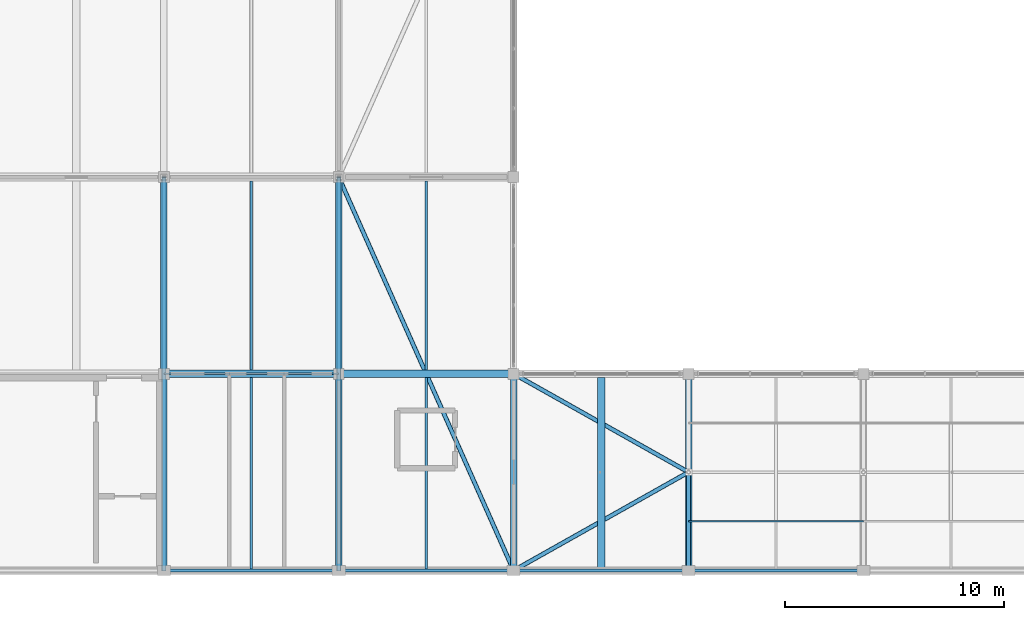
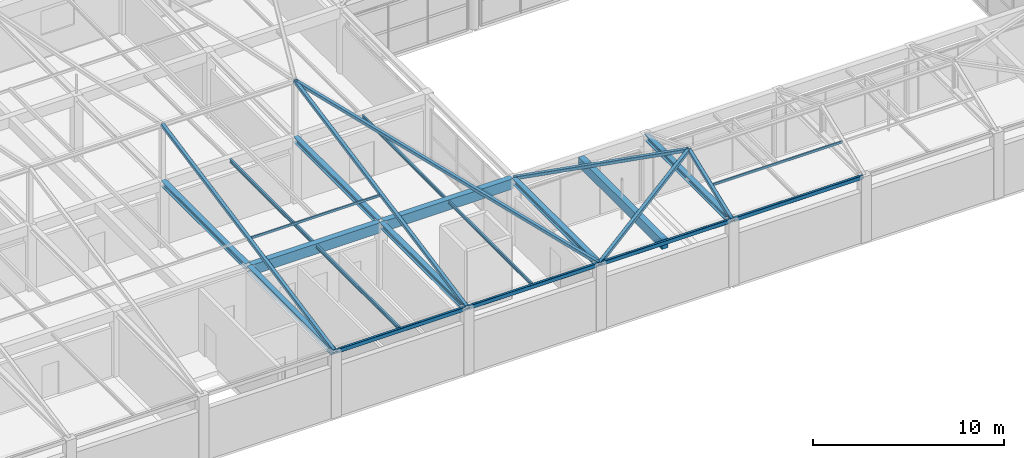
# One storey, part 22 of 65: 17 beams, 8 members.
"""IFC4 building model written with IfcOpenShell, lengths in metres."""

from ifc_helpers import new_model, si_unit, direction, frame, origin, origin_2d, place, context, subcontext, project, spatial, rectangle, hollow_rectangle, i_section, extrude, material, material_profile, profile_set, type_object, element, save


model = new_model("IFC4")

# Units and contexts
model_context = context("Model", 3, precision=1e-05, world=origin(), true_north=direction((0.0, 1.0)))
body_context = subcontext(model_context, "Body", "Model", "MODEL_VIEW")
ifc_project = project(units=[si_unit("LENGTHUNIT", "METRE"), si_unit("AREAUNIT", "SQUARE_METRE"), si_unit("VOLUMEUNIT", "CUBIC_METRE"), si_unit("PLANEANGLEUNIT", "RADIAN"), si_unit("MASSUNIT", "GRAM", prefix="KILO")], contexts=[model_context])

# Site, building, storey
site_placement = place(None, origin())
site = spatial("IfcSite", under=ifc_project, at=site_placement, CompositionType="ELEMENT")
building_placement = place(site_placement, origin())
building = spatial("IfcBuilding", under=site, at=building_placement, Name="Varnabhumi Central Station", CompositionType="ELEMENT")
storey_placement = place(building_placement, frame((0.0, 0.0, 24.60009765625)))
storey = spatial("IfcBuildingStorey", under=building, at=storey_placement, Name="L05", CompositionType="ELEMENT", Elevation=24.60009765625)

# Beams
ifc_material_1 = material(Name="Structural steel E350", Category="steel")
ifc_material_profile_1 = material_profile(ifc_material_1, hollow_rectangle(XDim=0.14990234375, YDim=0.25, WallThickness=0.010009765625, InnerFilletRadius=0.010009765625, OuterFilletRadius=0.02001953125, at=origin_2d()), Name="Structural steel E350", Category="steel")
ifc_profile_set_1 = profile_set([ifc_material_profile_1], Name="Structural steel E350")
beam_type_1 = type_object("IfcBeamType", Name="BM-EDGE-RHS250", PredefinedType="SPANDREL", material=ifc_profile_set_1)
for number, where, z_axis, x_axis, name in (
    (1, (96.10009765625, 0.0, 4.074951171875), (1.0, 0.0, 0.0), (0.0, 1.0, 0.0), "Beam L05-A:13-14"),
    (2, (104.10009765625, 0.0, 4.074951171875), (1.0, 0.0, 0.0), (0.0, 1.0, 0.0), "Beam L05-A:14-15"),
    (3, (112.10009765625, 0.0, 4.074951171875), (1.0, 0.0, 0.0), (0.0, 1.0, 0.0), "Beam L05-A:15-16"),
    (4, (120.10009765625, 0.0, 4.074951171875), (1.0, 0.0, 0.0), (0.0, 1.0, 0.0), "Beam L05-A:16-17"),
):
    element("IfcBeam", number, at=place(storey_placement, frame(where, z_axis=z_axis, x_axis=x_axis)), inside=storey, type_object=beam_type_1, Name=name, PredefinedType="SPANDREL", context=body_context, shape_type="SweptSolid", body=[
        extrude(hollow_rectangle(XDim=0.14990234375, YDim=0.25, WallThickness=0.010009765625, InnerFilletRadius=0.010009765625, OuterFilletRadius=0.02001953125, at=origin_2d()), origin(), (0.0, 0.0, 1.0), 7.7998046875),
    ])
ifc_material_2 = material(Name="Concrete M40", Category="concrete")
ifc_material_profile_2 = material_profile(ifc_material_2, rectangle(XDim=0.35009765625, YDim=0.64990234375, at=origin_2d()), Name="Concrete M40", Category="concrete")
ifc_profile_set_2 = profile_set([ifc_material_profile_2], Name="Concrete M40")
beam_type_2 = type_object("IfcBeamType", Name="BM-RC-350x650", PredefinedType="BEAM", material=ifc_profile_set_2)
for number, where, z_axis, x_axis, name in (
    (5, (96.10009765625, 9.0, 3.875), (1.0, 0.0, 0.0), (0.0, 1.0, 0.0), "Beam L05-B:13-14"),
    (6, (104.10009765625, 9.0, 3.875), (1.0, 0.0, 0.0), (0.0, 1.0, 0.0), "Beam L05-B:14-15"),
):
    element("IfcBeam", number, at=place(storey_placement, frame(where, z_axis=z_axis, x_axis=x_axis)), inside=storey, type_object=beam_type_2, Name=name, PredefinedType="BEAM", context=body_context, shape_type="SweptSolid", body=[
        extrude(rectangle(XDim=0.35009765625, YDim=0.64990234375, at=origin_2d()), origin(), (0.0, 0.0, 1.0), 7.7998046875),
    ])
ifc_material_profile_3 = material_profile(ifc_material_2, rectangle(XDim=0.35009765625, YDim=0.60009765625, at=origin_2d()), Name="Concrete M40", Category="concrete")
ifc_profile_set_3 = profile_set([ifc_material_profile_3], Name="Concrete M40")
beam_type_3 = type_object("IfcBeamType", Name="BM-RC-600x350", PredefinedType="JOIST", material=ifc_profile_set_3)
beam_1_placement = place(storey_placement, frame((116.0, 0.074951171875, 3.89990234375), z_axis=(0.0, 1.0, 0.0), x_axis=(-1.0, 0.0, 0.0)))
element("IfcBeam", 7, at=beam_1_placement, inside=storey, type_object=beam_type_3, Name="Secondary Joist L05-15/16:A-B", PredefinedType="JOIST", context=body_context, shape_type="SweptSolid", body=[
    extrude(rectangle(XDim=0.35009765625, YDim=0.60009765625, at=origin_2d()), origin(), (0.0, 0.0, 1.0), 8.75),
])
ifc_material_profile_4 = material_profile(ifc_material_1, i_section(OverallWidth=0.10009765625, OverallDepth=0.199951171875, WebThickness=0.005615234375, FlangeThickness=0.0107421875, FilletRadius=0.010986328125, at=origin_2d()), Name="Structural steel E350", Category="steel")
ifc_profile_set_4 = profile_set([ifc_material_profile_4], Name="Structural steel E350")
beam_type_4 = type_object("IfcBeamType", Name="BM-STL-ISMB200", PredefinedType="JOIST", material=ifc_profile_set_4)
beam_2_placement = place(storey_placement, frame((108.0, 0.074951171875, 4.099853515625), z_axis=(0.0, 1.0, 0.0), x_axis=(-1.0, 0.0, 0.0)))
element("IfcBeam", 8, at=beam_2_placement, inside=storey, type_object=beam_type_4, Name="Secondary Joist L05-14/15:A-B", PredefinedType="JOIST", context=body_context, shape_type="SweptSolid", body=[
    extrude(i_section(OverallWidth=0.10009765625, OverallDepth=0.199951171875, WebThickness=0.005615234375, FlangeThickness=0.0107421875, FilletRadius=0.010986328125, at=origin_2d()), origin(), (0.0, 0.0, 1.0), 8.75),
])
beam_3_placement = place(storey_placement, frame((108.0, 9.175048828125, 4.099853515625), z_axis=(0.0, 1.0, 0.0), x_axis=(-1.0, 0.0, 0.0)))
element("IfcBeam", 9, at=beam_3_placement, inside=storey, type_object=beam_type_4, Name="Secondary Joist L05-14/15:B-C", PredefinedType="JOIST", context=body_context, shape_type="SweptSolid", body=[
    extrude(i_section(OverallWidth=0.10009765625, OverallDepth=0.199951171875, WebThickness=0.005615234375, FlangeThickness=0.0107421875, FilletRadius=0.010986328125, at=origin_2d()), origin(), (0.0, 0.0, 1.0), 8.64990234375),
])
ifc_material_profile_5 = material_profile(ifc_material_1, i_section(OverallWidth=0.110107421875, OverallDepth=0.22509765625, WebThickness=0.006591796875, FlangeThickness=0.01171875, FilletRadius=0.011962890625, at=origin_2d()), Name="Structural steel E350", Category="steel")
ifc_profile_set_5 = profile_set([ifc_material_profile_5], Name="Structural steel E350")
beam_type_5 = type_object("IfcBeamType", Name="BM-STL-ISMB225", PredefinedType="JOIST", material=ifc_profile_set_5)
beam_4_placement = place(storey_placement, frame((100.0, 0.074951171875, 4.08740234375), z_axis=(0.0, 1.0, 0.0), x_axis=(-1.0, 0.0, 0.0)))
element("IfcBeam", 10, at=beam_4_placement, inside=storey, type_object=beam_type_5, Name="Secondary Joist L05-13/14:A-B", PredefinedType="JOIST", context=body_context, shape_type="SweptSolid", body=[
    extrude(i_section(OverallWidth=0.110107421875, OverallDepth=0.22509765625, WebThickness=0.006591796875, FlangeThickness=0.01171875, FilletRadius=0.011962890625, at=origin_2d()), origin(), (0.0, 0.0, 1.0), 8.75),
])
beam_5_placement = place(storey_placement, frame((100.0, 9.175048828125, 4.08740234375), z_axis=(0.0, 1.0, 0.0), x_axis=(-1.0, 0.0, 0.0)))
element("IfcBeam", 11, at=beam_5_placement, inside=storey, type_object=beam_type_5, Name="Secondary Joist L05-13/14:B-C", PredefinedType="JOIST", context=body_context, shape_type="SweptSolid", body=[
    extrude(i_section(OverallWidth=0.110107421875, OverallDepth=0.22509765625, WebThickness=0.006591796875, FlangeThickness=0.01171875, FilletRadius=0.011962890625, at=origin_2d()), origin(), (0.0, 0.0, 1.0), 8.64990234375),
])
ifc_material_profile_6 = material_profile(ifc_material_1, i_section(OverallWidth=0.300048828125, OverallDepth=0.360107421875, WebThickness=0.012451171875, FlangeThickness=0.0224609375, FilletRadius=0.027099609375, at=origin_2d()), Name="Structural steel E350", Category="steel")
ifc_profile_set_6 = profile_set([ifc_material_profile_6], Name="Structural steel E350")
beam_type_6 = type_object("IfcBeamType", Name="BM-STL-WPB360", PredefinedType="BEAM", material=ifc_profile_set_6)
for number, where, z_axis, x_axis, name in (
    (12, (96.0, 0.10009765625, 4.02001953125), (0.0, 1.0, 0.0), (-1.0, 0.0, 0.0), "Beam L05-13:A-B"),
    (13, (104.0, 0.10009765625, 4.02001953125), (0.0, 1.0, 0.0), (-1.0, 0.0, 0.0), "Beam L05-14:A-B"),
    (14, (112.0, 0.10009765625, 4.02001953125), (0.0, 1.0, 0.0), (-1.0, 0.0, 0.0), "Beam L05-15:A-B"),
    (15, (120.0, 0.10009765625, 4.02001953125), (0.0, 1.0, 0.0), (-1.0, 0.0, 0.0), "Beam L05-16:A-B"),
    (16, (96.0, 9.10009765625, 4.02001953125), (0.0, 1.0, 0.0), (-1.0, 0.0, 0.0), "Beam L05-13:B-C"),
    (17, (104.0, 9.10009765625, 4.02001953125), (0.0, 1.0, 0.0), (-1.0, 0.0, 0.0), "Beam L05-14:B-C"),
):
    element("IfcBeam", number, at=place(storey_placement, frame(where, z_axis=z_axis, x_axis=x_axis)), inside=storey, type_object=beam_type_6, Name=name, PredefinedType="BEAM", context=body_context, shape_type="SweptSolid", body=[
        extrude(i_section(OverallWidth=0.300048828125, OverallDepth=0.360107421875, WebThickness=0.012451171875, FlangeThickness=0.0224609375, FilletRadius=0.027099609375, at=origin_2d()), origin(), (0.0, 0.0, 1.0), 8.7998046875),
    ])

# Members
ifc_material_profile_7 = material_profile(ifc_material_1, hollow_rectangle(XDim=0.074951171875, YDim=0.14990234375, WallThickness=0.006103515625, InnerFilletRadius=0.006103515625, OuterFilletRadius=0.011962890625, at=origin_2d()), Name="Structural steel E350", Category="steel")
ifc_profile_set_7 = profile_set([ifc_material_profile_7], Name="Structural steel E350")
member_type_1 = type_object("IfcMemberType", Name="MBR-PURL-RHS150", PredefinedType="PURLIN", material=ifc_profile_set_7)
for number, where, z_axis, x_axis, name in (
    (18, (96.0, 9.0, 5.824951171875), (1.0, 0.0, 0.0), (0.0, 1.0, 0.0), "Mission Roof Purlin SW6E-9-S"),
    (19, (120.0, 2.25, 4.9248046875), (1.0, 0.0, 0.0), (0.0, 1.0, 0.0), "Mission Roof Purlin SW6CS-2-S"),
):
    element("IfcMember", number, at=place(storey_placement, frame(where, z_axis=z_axis, x_axis=x_axis)), inside=storey, type_object=member_type_1, Name=name, PredefinedType="PURLIN", context=body_context, shape_type="SweptSolid", body=[
        extrude(hollow_rectangle(XDim=0.074951171875, YDim=0.14990234375, WallThickness=0.006103515625, InnerFilletRadius=0.006103515625, OuterFilletRadius=0.011962890625, at=origin_2d()), origin(), (0.0, 0.0, 1.0), 8.0),
    ])
ifc_material_profile_8 = material_profile(ifc_material_1, hollow_rectangle(XDim=0.199951171875, YDim=0.199951171875, WallThickness=0.010009765625, InnerFilletRadius=0.010009765625, OuterFilletRadius=0.02001953125, at=origin_2d()), Name="Structural steel E350", Category="steel")
ifc_profile_set_8 = profile_set([ifc_material_profile_8], Name="Structural steel E350")
member_type_2 = type_object("IfcMemberType", Name="MBR-RAFT-SHS200", PredefinedType="RAFTER", material=ifc_profile_set_8)
member_1_placement = place(storey_placement, frame((112.0, 0.0, 4.10986328125), z_axis=(-0.399698916942, 0.899322563119, 0.177368833961), x_axis=(-0.91381154862, -0.406138466053, 0.0)))
element("IfcMember", 20, at=member_1_placement, inside=storey, type_object=member_type_2, Name="Mission Roof Hip Rafter SW6E-WS", PredefinedType="RAFTER", context=body_context, shape_type="SweptSolid", body=[
    extrude(hollow_rectangle(XDim=0.199951171875, YDim=0.199951171875, WallThickness=0.010009765625, InnerFilletRadius=0.010009765625, OuterFilletRadius=0.02001953125, at=origin_2d()), origin(), (0.0, 0.0, 1.0), 20.01513671875),
])
for number, where, z_axis, x_axis, name in (
    (21, (96.0, 0.0, 4.10986328125), (0.0, 0.981100761594, 0.193497533832), (-1.0, 0.0, 0.0), "Mission Roof South Rafter SW6E-9"),
    (22, (104.0, 0.0, 4.10986328125), (0.0, 0.981100761594, 0.193497533832), (-1.0, 0.0, 0.0), "Mission Roof South Rafter SW6E-10"),
):
    element("IfcMember", number, at=place(storey_placement, frame(where, z_axis=z_axis, x_axis=x_axis)), inside=storey, type_object=member_type_2, Name=name, PredefinedType="RAFTER", context=body_context, shape_type="SweptSolid", body=[
        extrude(hollow_rectangle(XDim=0.199951171875, YDim=0.199951171875, WallThickness=0.010009765625, InnerFilletRadius=0.010009765625, OuterFilletRadius=0.02001953125, at=origin_2d()), origin(), (0.0, 0.0, 1.0), 18.3466796875),
    ])
for number, where, z_axis, x_axis, name in (
    (23, (112.0, 0.0, 4.10986328125), (0.856153773676, 0.481586497693, 0.187283637992), (-0.490261239633, 0.871575537125, 0.0), "Mission Roof Hip Rafter SW6CS-ES"),
    (24, (112.0, 9.0, 4.10986328125), (0.856153773676, -0.481586497693, 0.187283637992), (0.490261239633, 0.871575537125, 0.0), "Mission Roof Hip Rafter SW6CS-EN"),
):
    element("IfcMember", number, at=place(storey_placement, frame(where, z_axis=z_axis, x_axis=x_axis)), inside=storey, type_object=member_type_2, Name=name, PredefinedType="RAFTER", context=body_context, shape_type="SweptSolid", body=[
        extrude(hollow_rectangle(XDim=0.199951171875, YDim=0.199951171875, WallThickness=0.010009765625, InnerFilletRadius=0.010009765625, OuterFilletRadius=0.02001953125, at=origin_2d()), origin(), (0.0, 0.0, 1.0), 9.343994140625),
    ])
member_2_placement = place(storey_placement, frame((120.0, 0.0, 4.10986328125), z_axis=(0.0, 0.932004671541, 0.362446261155), x_axis=(-1.0, 0.0, 0.0)))
element("IfcMember", 25, at=member_2_placement, inside=storey, type_object=member_type_2, Name="Mission Roof South Rafter SW6CS-2", PredefinedType="RAFTER", context=body_context, shape_type="SweptSolid", body=[
    extrude(hollow_rectangle(XDim=0.199951171875, YDim=0.199951171875, WallThickness=0.010009765625, InnerFilletRadius=0.010009765625, OuterFilletRadius=0.02001953125, at=origin_2d()), origin(), (0.0, 0.0, 1.0), 4.828369140625),
])

save(model, "model.ifc")
